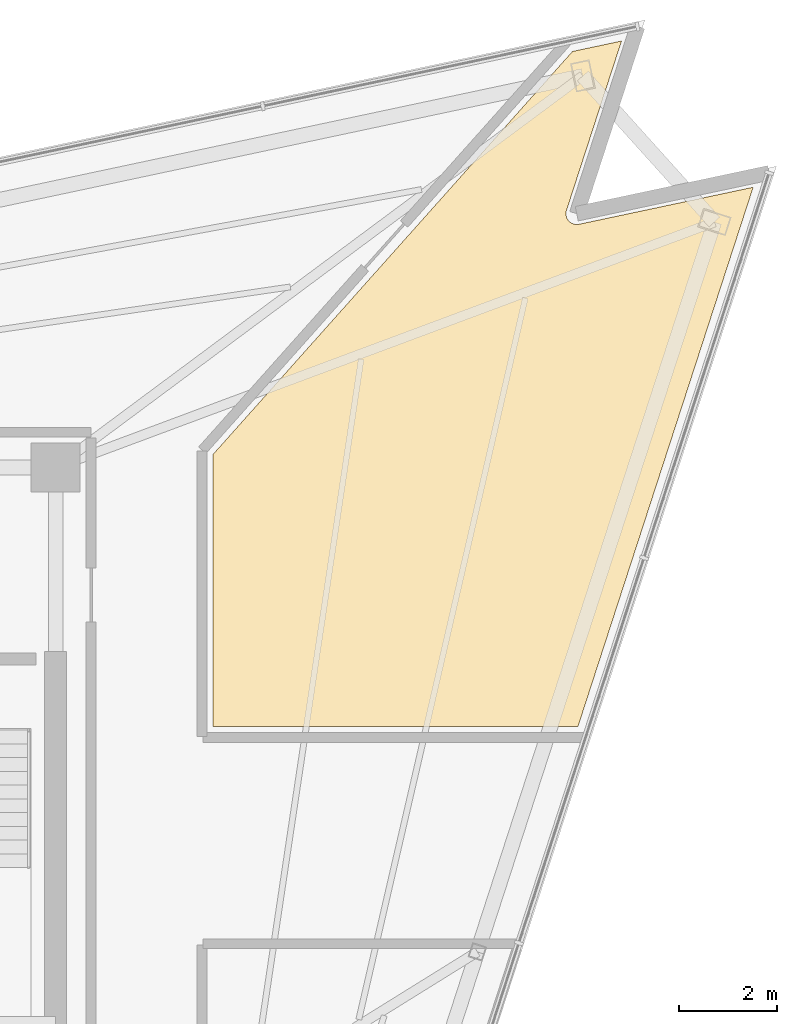
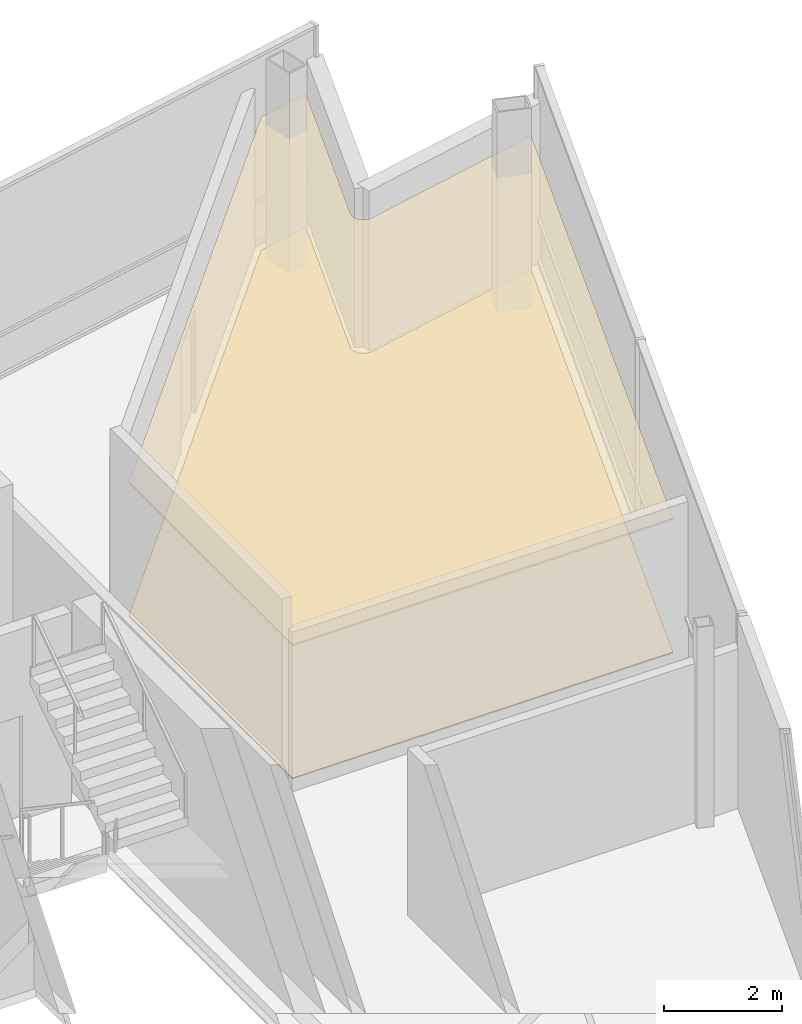
# One storey, part 16 of 16: 2 coverings.
"""IFC4 building model written with IfcOpenShell, lengths in metres."""

from ifc_helpers import new_model, si_unit, direction, frame, origin, place, context, subcontext, project, spatial, polyline, outline, extrude, material, layer, layer_set, type_object, element, save


model = new_model("IFC4")

# Units and contexts
model_context = context("Model", 3, precision=1e-05, world=origin(), true_north=direction((0.0, 1.0)))
body_context = subcontext(model_context, "Body", "Model", "MODEL_VIEW")
ifc_project = project(units=[si_unit("LENGTHUNIT", "METRE"), si_unit("AREAUNIT", "SQUARE_METRE"), si_unit("VOLUMEUNIT", "CUBIC_METRE"), si_unit("PLANEANGLEUNIT", "RADIAN"), si_unit("MASSUNIT", "GRAM", prefix="KILO")], contexts=[model_context])

# Site, building, storey
site_placement = place(None, origin())
site = spatial("IfcSite", under=ifc_project, at=site_placement, CompositionType="ELEMENT")
building_placement = place(site_placement, origin())
building = spatial("IfcBuilding", under=site, at=building_placement, Name="Tharavind Bronze Gate", CompositionType="ELEMENT")
storey_placement = place(building_placement, frame((0.0, 0.0, 302.14990234375)))
storey = spatial("IfcBuildingStorey", under=building, at=storey_placement, Name="L78", CompositionType="ELEMENT", Elevation=302.14990234375)

# Coverings
ifc_material_1 = material(Name="Perforated Bronze Acoustic Panel", Category="bronze")
ifc_layer_1 = layer(ifc_material_1, 0.044921875)
ifc_layer_set_1 = layer_set([ifc_layer_1], Name="Perforated Bronze Acoustic Panel")
covering_type_1 = type_object("IfcCoveringType", Name="ACOUSTIC BRONZE BAFFLE CEILING", PredefinedType="CEILING", material=ifc_layer_set_1)
covering_1_placement = place(storey_placement, frame((0.0, 0.0, 2.75)))
element("IfcCovering", 1, at=covering_1_placement, inside=storey, type_object=covering_type_1, Name="L78-RM-01 suspended ceiling", PredefinedType="CEILING", context=body_context, shape_type="SweptSolid", body=[
    extrude(outline(polyline([(19.536376953125, 2.320068359375), (23.10693359375, 13.308837890625), (19.559814453125, 12.554931640625), (19.549072265625, 12.552978515625), (19.548583984375, 12.552734375), (19.526611328125, 12.55029296875), (19.5048828125, 12.55029296875), (19.48291015625, 12.55224609375), (19.46142578125, 12.556396484375), (19.4404296875, 12.5625), (19.420166015625, 12.57080078125), (19.400634765625, 12.581298828125), (19.382568359375, 12.593505859375), (19.365478515625, 12.607421875), (19.35009765625, 12.622802734375), (19.336181640625, 12.639892578125), (19.32421875, 12.658203125), (19.31396484375, 12.677490234375), (19.3056640625, 12.697998046875), (19.299560546875, 12.718994140625), (19.29541015625, 12.740478515625), (19.293701171875, 12.762451171875), (19.2939453125, 12.7841796875), (19.29638671875, 12.80615234375), (19.30126953125, 12.827392578125), (19.30126953125, 12.828125), (19.304443359375, 12.838623046875), (20.425048828125, 16.28759765625), (19.4267578125, 16.0751953125), (12.10009765625, 7.86181640625), (12.10009765625, 2.320068359375), (19.536376953125, 2.320068359375)])), origin(), (0.0, 0.0, 1.0), 0.03515625),
])
ifc_material_2 = material(Name="Honed Travertine Limestone", Category="masonry")
ifc_layer_2 = layer(ifc_material_2, 0.030029296875)
ifc_layer_set_2 = layer_set([ifc_layer_2], Name="Honed Travertine Limestone")
covering_type_2 = type_object("IfcCoveringType", Name="HONED LIMESTONE FLOORING", PredefinedType="FLOORING", material=ifc_layer_set_2)
covering_2_placement = place(storey_placement, origin())
element("IfcCovering", 2, at=covering_2_placement, inside=storey, type_object=covering_type_2, Name="L78-RM-01 floor finish", PredefinedType="FLOORING", context=body_context, shape_type="SweptSolid", body=[
    extrude(outline(polyline([(19.536376953125, 2.320068359375), (23.10693359375, 13.308837890625), (19.559814453125, 12.554931640625), (19.549072265625, 12.552978515625), (19.548583984375, 12.552734375), (19.526611328125, 12.55029296875), (19.5048828125, 12.55029296875), (19.48291015625, 12.55224609375), (19.46142578125, 12.556396484375), (19.4404296875, 12.5625), (19.420166015625, 12.57080078125), (19.400634765625, 12.581298828125), (19.382568359375, 12.593505859375), (19.365478515625, 12.607421875), (19.35009765625, 12.622802734375), (19.336181640625, 12.639892578125), (19.32421875, 12.658203125), (19.31396484375, 12.677490234375), (19.3056640625, 12.697998046875), (19.299560546875, 12.718994140625), (19.29541015625, 12.740478515625), (19.293701171875, 12.762451171875), (19.2939453125, 12.7841796875), (19.29638671875, 12.80615234375), (19.30126953125, 12.827392578125), (19.30126953125, 12.828125), (19.304443359375, 12.838623046875), (20.425048828125, 16.28759765625), (19.4267578125, 16.0751953125), (12.10009765625, 7.86181640625), (12.10009765625, 2.320068359375), (19.536376953125, 2.320068359375)])), origin(), (0.0, 0.0, 1.0), 0.025146484375),
])

save(model, "model.ifc")
